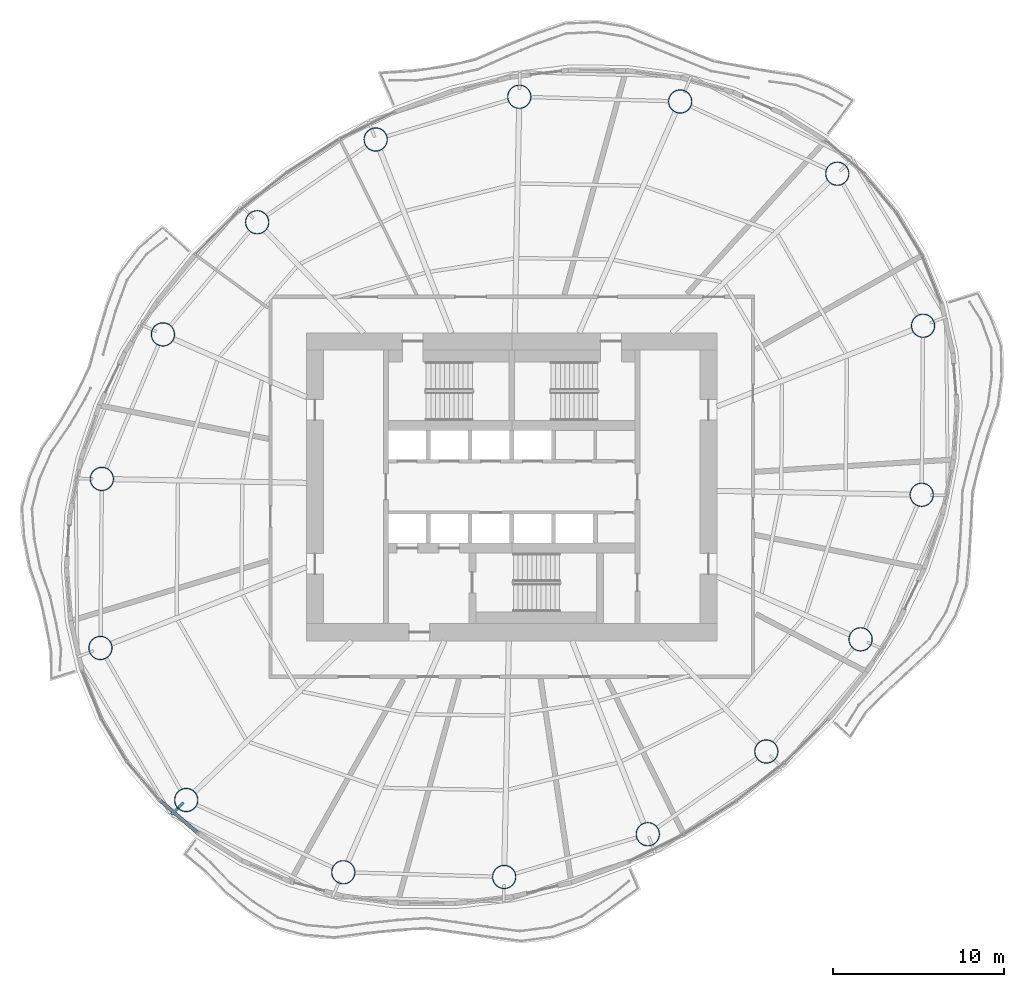
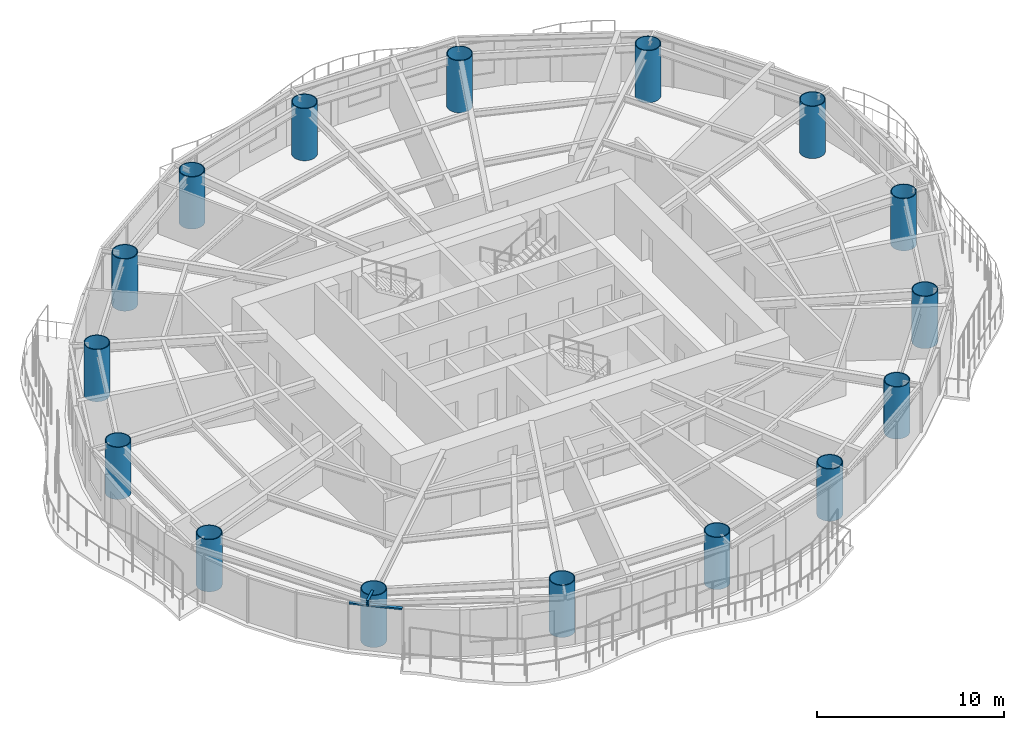
# One storey, part 1 of 15: 16 columns, 1 beam, 1 member, 1 element without a shape of its own.
"""IFC4 building model written with IfcOpenShell, lengths in metres."""

from ifc_helpers import new_model, si_unit, direction, frame, origin, origin_2d, place, context, subcontext, project, spatial, rectangle, hollow_circle, i_section, extrude, material, material_profile, profile_set, type_object, element, aggregate, save


model = new_model("IFC4")

# Units and contexts
model_context = context("Model", 3, precision=1e-05, world=origin(), true_north=direction((0.0, 1.0)))
body_context = subcontext(model_context, "Body", "Model", "MODEL_VIEW")
ifc_project = project(units=[si_unit("LENGTHUNIT", "METRE"), si_unit("AREAUNIT", "SQUARE_METRE"), si_unit("VOLUMEUNIT", "CUBIC_METRE"), si_unit("PLANEANGLEUNIT", "RADIAN"), si_unit("MASSUNIT", "GRAM", prefix="KILO")], contexts=[model_context])

# Site, building, storey
site_placement = place(None, origin())
site = spatial("IfcSite", under=ifc_project, at=site_placement, CompositionType="ELEMENT")
building_placement = place(site_placement, origin())
building = spatial("IfcBuilding", under=site, at=building_placement, Name="Vermilion Reach Broadcast Tower", CompositionType="ELEMENT")
storey_placement = place(building_placement, frame((0.0, 0.0, 175.800048828125)))
storey = spatial("IfcBuildingStorey", under=building, at=storey_placement, Name="L42", CompositionType="ELEMENT", Elevation=175.800048828125)

# Columns
ifc_material_1 = material(Name="Concrete C70 infill in steel S460NL tube", Category="concrete")
ifc_material_profile_1 = material_profile(ifc_material_1, hollow_circle(Radius=0.699951171875, WallThickness=0.050048828125, at=origin_2d()), Name="Concrete C70 infill in steel S460NL tube CFT 1400x50")
ifc_profile_set_1 = profile_set([ifc_material_profile_1], Name="Concrete C70 infill in steel S460NL tube")
column_type = type_object("IfcColumnType", Name="MC3 CFT 1400x50", PredefinedType="COLUMN", material=ifc_profile_set_1)
for number, where, z_axis, x_axis, name in (
    (1, (13.02587890625, 18.302734375, 0.0), (0.0, 0.0, 1.0), (1.0, 0.0, 0.0), "Mega-column MC3-01"),
    (2, (3.84521484375, 22.524169921875, 0.0), (0.0, 0.0, 1.0), (1.0, 0.0, 0.0), "Mega-column MC3-02"),
    (3, (-5.558349609375, 22.800048828125, 0.0), (0.0, 0.0, 1.0), (1.0, 0.0, 0.0), "Mega-column MC3-03"),
    (4, (-13.95166015625, 20.30078125, 0.0), (0.0, 0.0, 1.0), (1.0, 0.0, 0.0), "Mega-column MC3-04"),
    (5, (-20.879150390625, 15.46728515625, 0.0), (0.0, 0.0, 1.0), (1.0, 0.0, 0.0), "Mega-column MC3-05"),
    (6, (-26.38818359375, 8.91162109375, 0.0), (0.0, 0.0, 1.0), (1.0, 0.0, 0.0), "Mega-column MC3-06"),
    (7, (-29.95947265625, 0.464111328125, 0.0), (0.0, 0.0, 1.0), (1.0, 0.0, 0.0), "Mega-column MC3-07"),
    (8, (-30.04052734375, -9.41650390625, 0.0), (0.0, 0.0, 1.0), (1.0, 0.0, 0.0), "Mega-column MC3-08"),
    (9, (-25.02587890625, -18.302734375, 0.0), (0.0, 0.0, 1.0), (1.0, 0.0, 0.0), "Mega-column MC3-09"),
    (10, (-15.84521484375, -22.524169921875, 0.0), (0.0, 0.0, 1.0), (1.0, 0.0, 0.0), "Mega-column MC3-10"),
    (11, (-6.441650390625, -22.800048828125, 0.0), (0.0, 0.0, 1.0), (1.0, 0.0, 0.0), "Mega-column MC3-11"),
    (12, (1.95166015625, -20.30078125, 0.0), (0.0, 0.0, 1.0), (1.0, 0.0, 0.0), "Mega-column MC3-12"),
    (13, (8.879150390625, -15.46728515625, 0.0), (0.0, 0.0, 1.0), (1.0, 0.0, 0.0), "Mega-column MC3-13"),
    (14, (14.38818359375, -8.91162109375, 0.0), (0.0, 0.0, 1.0), (1.0, 0.0, 0.0), "Mega-column MC3-14"),
    (15, (17.95947265625, -0.464111328125, 0.0), (0.0, 0.0, 1.0), (1.0, 0.0, 0.0), "Mega-column MC3-15"),
    (16, (18.04052734375, 9.41650390625, 0.0), (0.0, 0.0, 1.0), (1.0, 0.0, 0.0), "Mega-column MC3-16"),
):
    element("IfcColumn", number, at=place(storey_placement, frame(where, z_axis=z_axis, x_axis=x_axis)), inside=storey, type_object=column_type, Name=name, PredefinedType="COLUMN", context=body_context, shape_type="SweptSolid", body=[
        extrude(hollow_circle(Radius=0.699951171875, WallThickness=0.050048828125, at=origin_2d()), origin(), (0.0, 0.0, 1.0), 3.39990234375),
    ])

# Beam
ifc_material_2 = material(Name="Steel S355J2", Category="steel")
ifc_material_profile_2 = material_profile(ifc_material_2, i_section(OverallWidth=0.14990234375, OverallDepth=0.300048828125, WebThickness=0.006591796875, FlangeThickness=0.009033203125, at=origin_2d()), Name="S355J2 HN 300x150x6.5x9")
ifc_profile_set_2 = profile_set([ifc_material_profile_2], Name="Steel S355J2")
beam_type = type_object("IfcBeamType", Name="GS3 HN 300x150x6.5x9", PredefinedType="BEAM", material=ifc_profile_set_2)
beam_placement = place(storey_placement, frame((-25.18408203125, -18.454833984375, 3.25), z_axis=(-0.720645397388, -0.693303837595, 0.0), x_axis=(0.693303837595, -0.720645397388, 0.0)))
element("IfcBeam", 17, at=beam_placement, inside=storey, type_object=beam_type, Name="Cantilever stub GS3-09", PredefinedType="BEAM", context=body_context, shape_type="SweptSolid", body=[
    extrude(i_section(OverallWidth=0.14990234375, OverallDepth=0.300048828125, WebThickness=0.006591796875, FlangeThickness=0.009033203125, at=origin_2d()), origin(), (0.0, 0.0, 1.0), 1.0),
])

# Curtain wall, member
ifc_material_3 = material(Name="Low-e laminated clear glass in aluminium frame", Category="aluminium")
curtain_wall_type = type_object("IfcCurtainWallType", Name="Slot curtain wall", PredefinedType="NOTDEFINED", material=ifc_material_3)
curtain_wall_placement = place(storey_placement, origin())
curtain_wall = element("IfcCurtainWall", 18, at=curtain_wall_placement, inside=storey, type_object=curtain_wall_type, Name="Slot curtain wall L42 25", PredefinedType="NOTDEFINED")
ifc_material_4 = material(Name="Anodised aluminium", Category="aluminium")
ifc_material_profile_3 = material_profile(ifc_material_4, rectangle(XDim=0.199951171875, YDim=0.10009765625, at=origin_2d()), Name="Slot transom 200 x 100")
ifc_profile_set_3 = profile_set([ifc_material_profile_3], Name="Anodised aluminium")
member_type = type_object("IfcMemberType", Name="Slot transom 200 x 100", PredefinedType="USERDEFINED", material=ifc_profile_set_3)
member_placement = place(storey_placement, frame((-26.5517578125, -18.328857421875, 3.0), z_axis=(0.756623759011, -0.653850508373, 0.0), x_axis=(0.653850508373, 0.756623759011, 0.0)))
member = element("IfcMember", 19, at=member_placement, type_object=member_type, Name="Slot transom L42 25.1", ObjectType="TRANSOM", PredefinedType="USERDEFINED", context=body_context, shape_type="SweptSolid", body=[
    extrude(rectangle(XDim=0.199951171875, YDim=0.10009765625, at=origin_2d()), origin(), (0.0, 0.0, 1.0), 2.893310546875),
])
aggregate(curtain_wall, [member])

save(model, "model.ifc")
